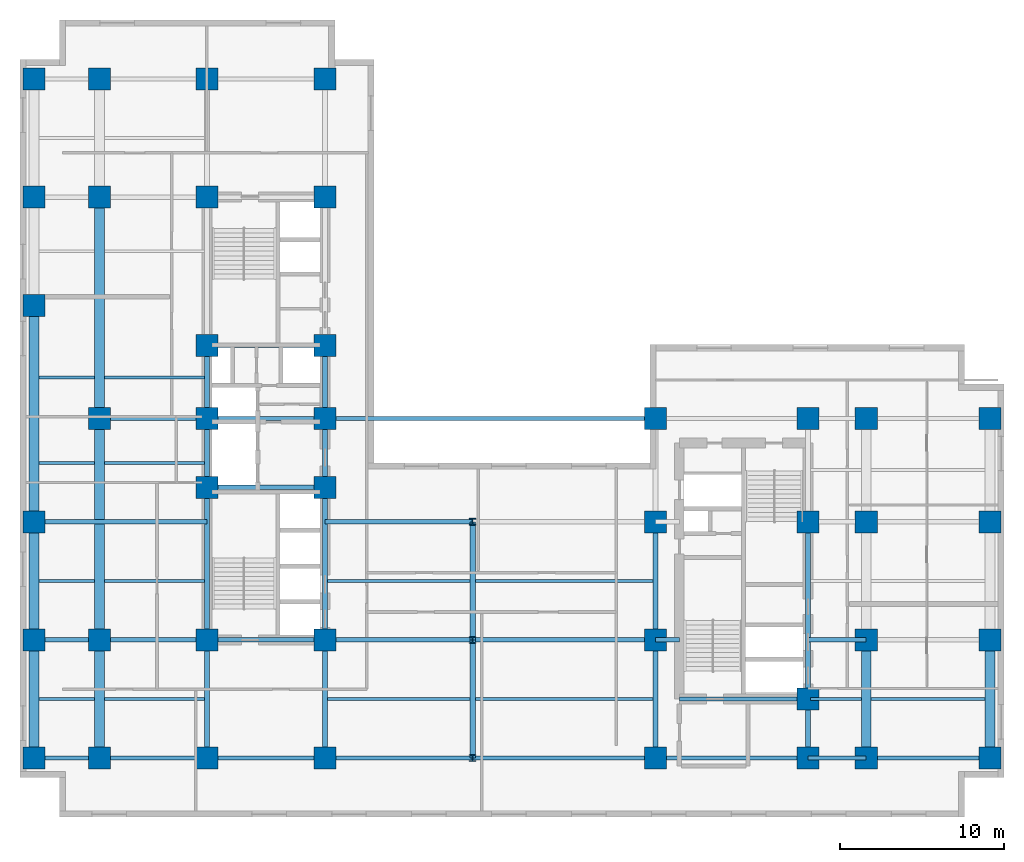
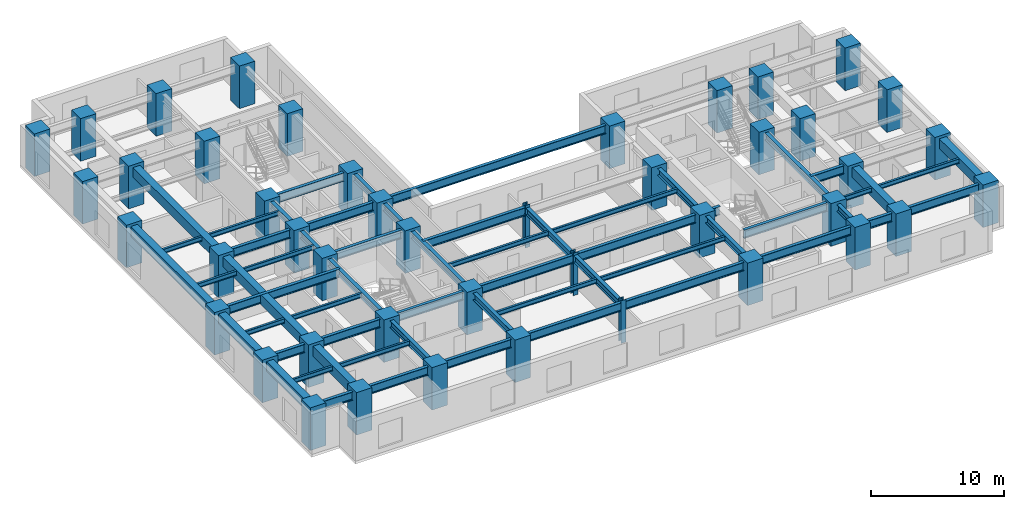
# One storey, part 1 of 9: 59 beams, 44 columns.
"""IFC4 building model written with IfcOpenShell, lengths in metres."""

from ifc_helpers import new_model, entity, si_unit, converted_unit, direction, frame, origin_with_axes, origin_2d_with_axis, place, context, subcontext, project, spatial, rectangle, i_section, extrude, material, material_profile, profile_set, type_object, element, save


model = new_model("IFC4")

# Units and contexts
model_context = context("Model", 3, precision=1e-05, world=origin_with_axes(), true_north=direction((0.0, 1.0)))
body_context = subcontext(model_context, "Body", "Model", "MODEL_VIEW")
ifc_project = project(units=[si_unit("LENGTHUNIT", "METRE"), si_unit("AREAUNIT", "SQUARE_METRE"), si_unit("VOLUMEUNIT", "CUBIC_METRE"), converted_unit("PLANEANGLEUNIT", "DEGREE", entity("IfcPlaneAngleMeasure", 0.017453292519943295), si_unit("PLANEANGLEUNIT", "RADIAN"), dimensions=[0, 0, 0, 0, 0, 0, 0]), si_unit("MASSUNIT", "GRAM", prefix="KILO"), si_unit("THERMODYNAMICTEMPERATUREUNIT", "KELVIN")], contexts=[model_context])

# Site, building, storey
site_placement = place(None, origin_with_axes())
site = spatial("IfcSite", under=ifc_project, at=site_placement, CompositionType="ELEMENT")
building_placement = place(site_placement, origin_with_axes())
building = spatial("IfcBuilding", under=site, at=building_placement, Name="Varnlund Millrace Tower", CompositionType="ELEMENT")
storey_placement = place(building_placement, frame((0.0, 0.0, 32.7), z_axis=(0.0, 0.0, 1.0), x_axis=(1.0, 0.0, 0.0)))
storey = spatial("IfcBuildingStorey", under=building, at=storey_placement, Name="L07", CompositionType="ELEMENT", Elevation=32.7)

# Columns
ifc_material_1 = material(Name="Steel ASTM A913 Grade 65", Category="steel")
ifc_material_profile_1 = material_profile(ifc_material_1, i_section(OverallWidth=0.406, OverallDepth=0.416, WebThickness=0.0298, FlangeThickness=0.048, FilletRadius=0.022, at=origin_2d_with_axis()), Name="Steel ASTM A913 Grade 65")
ifc_profile_set_1 = profile_set([ifc_material_profile_1], Name="Steel ASTM A913 Grade 65")
column_type_1 = type_object("IfcColumnType", Name="Type-Col-Int-W14X257", PredefinedType="COLUMN", material=ifc_profile_set_1)
for number, where, z_axis, x_axis, name in (
    (1, (27.6, 3.6, 0.0), (0.0, 0.0, 1.0), (1.0, 0.0, 0.0), "Type-Col-Int-W14X257"),
    (2, (27.6, 10.8, 0.0), (0.0, 0.0, 1.0), (1.0, 0.0, 0.0), "Type-Col-Int-W14X257"),
    (3, (27.6, 18.0, 0.0), (0.0, 0.0, 1.0), (1.0, 0.0, 0.0), "Type-Col-Int-W14X257"),
):
    element("IfcColumn", number, at=place(storey_placement, frame(where, z_axis=z_axis, x_axis=x_axis)), inside=storey, type_object=column_type_1, Name=name, PredefinedType="COLUMN", context=body_context, shape_type="SweptSolid", body=[
        extrude(i_section(OverallWidth=0.406, OverallDepth=0.416, WebThickness=0.0298, FlangeThickness=0.048, FilletRadius=0.022, at=origin_2d_with_axis()), origin_with_axes(), (0.0, 0.0, 1.0), 3.9),
    ])
ifc_material_2 = material(Name="Concrete C80/95", Category="concrete")
ifc_material_profile_2 = material_profile(ifc_material_2, rectangle(XDim=1.35, YDim=1.35, at=origin_2d_with_axis()), Name="Concrete C80/95")
ifc_profile_set_2 = profile_set([ifc_material_profile_2], Name="Concrete C80/95")
column_type_2 = type_object("IfcColumnType", Name="Type-Col-RC1350-C80", PredefinedType="COLUMN", material=ifc_profile_set_2)
for number, where, z_axis, x_axis, name in (
    (4, (11.4, 3.6, 0.0), (0.0, 0.0, 1.0), (1.0, 0.0, 0.0), "Type-Col-RC1350-C80"),
    (5, (11.4, 10.8, 0.0), (0.0, 0.0, 1.0), (1.0, 0.0, 0.0), "Type-Col-RC1350-C80"),
    (6, (11.4, 20.1, 0.0), (0.0, 0.0, 1.0), (1.0, 0.0, 0.0), "Type-Col-RC1350-C80"),
    (7, (11.4, 24.3, 0.0), (0.0, 0.0, 1.0), (1.0, 0.0, 0.0), "Type-Col-RC1350-C80"),
    (8, (11.4, 28.75, 0.0), (0.0, 0.0, 1.0), (1.0, 0.0, 0.0), "Type-Col-RC1350-C80"),
    (9, (11.4, 37.8, 0.0), (0.0, 0.0, 1.0), (1.0, 0.0, 0.0), "Type-Col-RC1350-C80"),
    (10, (11.4, 45.0, 0.0), (0.0, 0.0, 1.0), (1.0, 0.0, 0.0), "Type-Col-RC1350-C80"),
    (11, (18.6, 3.6, 0.0), (0.0, 0.0, 1.0), (1.0, 0.0, 0.0), "Type-Col-RC1350-C80"),
    (12, (18.6, 10.8, 0.0), (0.0, 0.0, 1.0), (1.0, 0.0, 0.0), "Type-Col-RC1350-C80"),
    (13, (18.6, 20.1, 0.0), (0.0, 0.0, 1.0), (1.0, 0.0, 0.0), "Type-Col-RC1350-C80"),
    (14, (18.6, 24.3, 0.0), (0.0, 0.0, 1.0), (1.0, 0.0, 0.0), "Type-Col-RC1350-C80"),
    (15, (18.6, 28.75, 0.0), (0.0, 0.0, 1.0), (1.0, 0.0, 0.0), "Type-Col-RC1350-C80"),
    (16, (18.6, 37.8, 0.0), (0.0, 0.0, 1.0), (1.0, 0.0, 0.0), "Type-Col-RC1350-C80"),
    (17, (18.6, 45.0, 0.0), (0.0, 0.0, 1.0), (1.0, 0.0, 0.0), "Type-Col-RC1350-C80"),
    (18, (4.85, 3.6, 0.0), (0.0, 0.0, 1.0), (1.0, 0.0, 0.0), "Type-Col-RC1350-C80"),
    (19, (4.85, 10.8, 0.0), (0.0, 0.0, 1.0), (1.0, 0.0, 0.0), "Type-Col-RC1350-C80"),
    (20, (4.85, 24.3, 0.0), (0.0, 0.0, 1.0), (1.0, 0.0, 0.0), "Type-Col-RC1350-C80"),
    (21, (4.85, 37.8, 0.0), (0.0, 0.0, 1.0), (1.0, 0.0, 0.0), "Type-Col-RC1350-C80"),
    (22, (4.85, 45.0, 0.0), (0.0, 0.0, 1.0), (1.0, 0.0, 0.0), "Type-Col-RC1350-C80"),
    (23, (0.85, 3.6, 0.0), (0.0, 0.0, 1.0), (1.0, 0.0, 0.0), "Type-Col-RC1350-C80"),
    (24, (0.85, 10.8, 0.0), (0.0, 0.0, 1.0), (1.0, 0.0, 0.0), "Type-Col-RC1350-C80"),
    (25, (0.85, 18.0, 0.0), (0.0, 0.0, 1.0), (1.0, 0.0, 0.0), "Type-Col-RC1350-C80"),
    (26, (0.85, 31.2, 0.0), (0.0, 0.0, 1.0), (1.0, 0.0, 0.0), "Type-Col-RC1350-C80"),
    (27, (0.85, 37.8, 0.0), (0.0, 0.0, 1.0), (1.0, 0.0, 0.0), "Type-Col-RC1350-C80"),
    (28, (0.85, 45.0, 0.0), (0.0, 0.0, 1.0), (1.0, 0.0, 0.0), "Type-Col-RC1350-C80"),
    (29, (38.75, 3.6, 0.0), (0.0, 0.0, 1.0), (1.0, 0.0, 0.0), "Type-Col-RC1350-C80"),
    (30, (38.75, 10.8, 0.0), (0.0, 0.0, 1.0), (1.0, 0.0, 0.0), "Type-Col-RC1350-C80"),
    (31, (38.75, 18.0, 0.0), (0.0, 0.0, 1.0), (1.0, 0.0, 0.0), "Type-Col-RC1350-C80"),
    (32, (38.75, 24.3, 0.0), (0.0, 0.0, 1.0), (1.0, 0.0, 0.0), "Type-Col-RC1350-C80"),
    (33, (48.05, 3.6, 0.0), (0.0, 0.0, 1.0), (1.0, 0.0, 0.0), "Type-Col-RC1350-C80"),
    (34, (48.05, 7.2, 0.0), (0.0, 0.0, 1.0), (1.0, 0.0, 0.0), "Type-Col-RC1350-C80"),
    (35, (48.05, 18.0, 0.0), (0.0, 0.0, 1.0), (1.0, 0.0, 0.0), "Type-Col-RC1350-C80"),
    (36, (48.05, 24.3, 0.0), (0.0, 0.0, 1.0), (1.0, 0.0, 0.0), "Type-Col-RC1350-C80"),
    (37, (51.6, 3.6, 0.0), (0.0, 0.0, 1.0), (1.0, 0.0, 0.0), "Type-Col-RC1350-C80"),
    (38, (51.6, 10.8, 0.0), (0.0, 0.0, 1.0), (1.0, 0.0, 0.0), "Type-Col-RC1350-C80"),
    (39, (51.6, 18.0, 0.0), (0.0, 0.0, 1.0), (1.0, 0.0, 0.0), "Type-Col-RC1350-C80"),
    (40, (51.6, 24.3, 0.0), (0.0, 0.0, 1.0), (1.0, 0.0, 0.0), "Type-Col-RC1350-C80"),
    (41, (59.15, 3.6, 0.0), (0.0, 0.0, 1.0), (1.0, 0.0, 0.0), "Type-Col-RC1350-C80"),
    (42, (59.15, 10.8, 0.0), (0.0, 0.0, 1.0), (1.0, 0.0, 0.0), "Type-Col-RC1350-C80"),
    (43, (59.15, 18.0, 0.0), (0.0, 0.0, 1.0), (1.0, 0.0, 0.0), "Type-Col-RC1350-C80"),
    (44, (59.15, 24.3, 0.0), (0.0, 0.0, 1.0), (1.0, 0.0, 0.0), "Type-Col-RC1350-C80"),
):
    element("IfcColumn", number, at=place(storey_placement, frame(where, z_axis=z_axis, x_axis=x_axis)), inside=storey, type_object=column_type_2, Name=name, PredefinedType="COLUMN", context=body_context, shape_type="SweptSolid", body=[
        extrude(rectangle(XDim=1.35, YDim=1.35, at=origin_2d_with_axis()), origin_with_axes(), (0.0, 0.0, 1.0), 3.9),
    ])

# Beams
ifc_material_3 = material(Name="Steel ASTM A992 Grade 50", Category="steel")
ifc_material_profile_3 = material_profile(ifc_material_3, i_section(OverallWidth=0.328, OverallDepth=0.628, WebThickness=0.0165, FlangeThickness=0.0277, FilletRadius=0.018, at=origin_2d_with_axis()), Name="Steel ASTM A992 Grade 50")
ifc_profile_set_3 = profile_set([ifc_material_profile_3], Name="Steel ASTM A992 Grade 50")
beam_type_1 = type_object("IfcBeamType", Name="Type-Girder-W24X146", PredefinedType="USERDEFINED", material=ifc_profile_set_3)
beam_1_placement = place(storey_placement, frame((11.4, 3.6, 3.346), z_axis=(0.0, 1.0, 0.0), x_axis=(-1.0, 0.0, 0.0)))
element("IfcBeam", 45, at=beam_1_placement, inside=storey, type_object=beam_type_1, Name="Type-Girder-W24X146", ObjectType="GIRDER", PredefinedType="USERDEFINED", context=body_context, shape_type="SweptSolid", body=[
    extrude(i_section(OverallWidth=0.328, OverallDepth=0.628, WebThickness=0.0165, FlangeThickness=0.0277, FilletRadius=0.018, at=origin_2d_with_axis()), origin_with_axes(), (0.0, 0.0, 1.0), 7.2),
])
beam_2_placement = place(storey_placement, frame((11.4, 10.8, 3.346), z_axis=(0.0, 1.0, 0.0), x_axis=(-1.0, 0.0, 0.0)))
element("IfcBeam", 46, at=beam_2_placement, inside=storey, type_object=beam_type_1, Name="Type-Girder-W24X146", ObjectType="GIRDER", PredefinedType="USERDEFINED", context=body_context, shape_type="SweptSolid", body=[
    extrude(i_section(OverallWidth=0.328, OverallDepth=0.628, WebThickness=0.0165, FlangeThickness=0.0277, FilletRadius=0.018, at=origin_2d_with_axis()), origin_with_axes(), (0.0, 0.0, 1.0), 9.3),
])
beam_3_placement = place(storey_placement, frame((11.4, 20.1, 3.346), z_axis=(0.0, 1.0, 0.0), x_axis=(-1.0, 0.0, 0.0)))
element("IfcBeam", 47, at=beam_3_placement, inside=storey, type_object=beam_type_1, Name="Type-Girder-W24X146", ObjectType="GIRDER", PredefinedType="USERDEFINED", context=body_context, shape_type="SweptSolid", body=[
    extrude(i_section(OverallWidth=0.328, OverallDepth=0.628, WebThickness=0.0165, FlangeThickness=0.0277, FilletRadius=0.018, at=origin_2d_with_axis()), origin_with_axes(), (0.0, 0.0, 1.0), 4.2),
])
beam_4_placement = place(storey_placement, frame((11.4, 24.3, 3.346), z_axis=(0.0, 1.0, 0.0), x_axis=(-1.0, 0.0, 0.0)))
element("IfcBeam", 48, at=beam_4_placement, inside=storey, type_object=beam_type_1, Name="Type-Girder-W24X146", ObjectType="GIRDER", PredefinedType="USERDEFINED", context=body_context, shape_type="SweptSolid", body=[
    extrude(i_section(OverallWidth=0.328, OverallDepth=0.628, WebThickness=0.0165, FlangeThickness=0.0277, FilletRadius=0.018, at=origin_2d_with_axis()), origin_with_axes(), (0.0, 0.0, 1.0), 4.45),
])
beam_5_placement = place(storey_placement, frame((18.6, 3.6, 3.346), z_axis=(0.0, 1.0, 0.0), x_axis=(-1.0, 0.0, 0.0)))
element("IfcBeam", 49, at=beam_5_placement, inside=storey, type_object=beam_type_1, Name="Type-Girder-W24X146", ObjectType="GIRDER", PredefinedType="USERDEFINED", context=body_context, shape_type="SweptSolid", body=[
    extrude(i_section(OverallWidth=0.328, OverallDepth=0.628, WebThickness=0.0165, FlangeThickness=0.0277, FilletRadius=0.018, at=origin_2d_with_axis()), origin_with_axes(), (0.0, 0.0, 1.0), 7.2),
])
beam_6_placement = place(storey_placement, frame((18.6, 10.8, 3.346), z_axis=(0.0, 1.0, 0.0), x_axis=(-1.0, 0.0, 0.0)))
element("IfcBeam", 50, at=beam_6_placement, inside=storey, type_object=beam_type_1, Name="Type-Girder-W24X146", ObjectType="GIRDER", PredefinedType="USERDEFINED", context=body_context, shape_type="SweptSolid", body=[
    extrude(i_section(OverallWidth=0.328, OverallDepth=0.628, WebThickness=0.0165, FlangeThickness=0.0277, FilletRadius=0.018, at=origin_2d_with_axis()), origin_with_axes(), (0.0, 0.0, 1.0), 9.3),
])
beam_7_placement = place(storey_placement, frame((18.6, 20.1, 3.346), z_axis=(0.0, 1.0, 0.0), x_axis=(-1.0, 0.0, 0.0)))
element("IfcBeam", 51, at=beam_7_placement, inside=storey, type_object=beam_type_1, Name="Type-Girder-W24X146", ObjectType="GIRDER", PredefinedType="USERDEFINED", context=body_context, shape_type="SweptSolid", body=[
    extrude(i_section(OverallWidth=0.328, OverallDepth=0.628, WebThickness=0.0165, FlangeThickness=0.0277, FilletRadius=0.018, at=origin_2d_with_axis()), origin_with_axes(), (0.0, 0.0, 1.0), 4.2),
])
beam_8_placement = place(storey_placement, frame((18.6, 24.3, 3.346), z_axis=(0.0, 1.0, 0.0), x_axis=(-1.0, 0.0, 0.0)))
element("IfcBeam", 52, at=beam_8_placement, inside=storey, type_object=beam_type_1, Name="Type-Girder-W24X146", ObjectType="GIRDER", PredefinedType="USERDEFINED", context=body_context, shape_type="SweptSolid", body=[
    extrude(i_section(OverallWidth=0.328, OverallDepth=0.628, WebThickness=0.0165, FlangeThickness=0.0277, FilletRadius=0.018, at=origin_2d_with_axis()), origin_with_axes(), (0.0, 0.0, 1.0), 4.45),
])
for number, where, z_axis, x_axis, name in (
    (53, (27.6, 3.6, 3.346), (0.0, 1.0, 0.0), (-1.0, 0.0, 0.0), "Type-Girder-W24X146"),
    (54, (27.6, 10.8, 3.346), (0.0, 1.0, 0.0), (-1.0, 0.0, 0.0), "Type-Girder-W24X146"),
    (55, (38.75, 3.6, 3.346), (0.0, 1.0, 0.0), (-1.0, 0.0, 0.0), "Type-Girder-W24X146"),
    (56, (38.75, 10.8, 3.346), (0.0, 1.0, 0.0), (-1.0, 0.0, 0.0), "Type-Girder-W24X146"),
):
    element("IfcBeam", number, at=place(storey_placement, frame(where, z_axis=z_axis, x_axis=x_axis)), inside=storey, type_object=beam_type_1, Name=name, ObjectType="GIRDER", PredefinedType="USERDEFINED", context=body_context, shape_type="SweptSolid", body=[
        extrude(i_section(OverallWidth=0.328, OverallDepth=0.628, WebThickness=0.0165, FlangeThickness=0.0277, FilletRadius=0.018, at=origin_2d_with_axis()), origin_with_axes(), (0.0, 0.0, 1.0), 7.2),
    ])
beam_9_placement = place(storey_placement, frame((48.05, 3.6, 3.346), z_axis=(0.0, 1.0, 0.0), x_axis=(-1.0, 0.0, 0.0)))
element("IfcBeam", 57, at=beam_9_placement, inside=storey, type_object=beam_type_1, Name="Type-Girder-W24X146", ObjectType="GIRDER", PredefinedType="USERDEFINED", context=body_context, shape_type="SweptSolid", body=[
    extrude(i_section(OverallWidth=0.328, OverallDepth=0.628, WebThickness=0.0165, FlangeThickness=0.0277, FilletRadius=0.018, at=origin_2d_with_axis()), origin_with_axes(), (0.0, 0.0, 1.0), 3.6),
])
beam_10_placement = place(storey_placement, frame((48.05, 7.2, 3.346), z_axis=(0.0, 1.0, 0.0), x_axis=(-1.0, 0.0, 0.0)))
element("IfcBeam", 58, at=beam_10_placement, inside=storey, type_object=beam_type_1, Name="Type-Girder-W24X146", ObjectType="GIRDER", PredefinedType="USERDEFINED", context=body_context, shape_type="SweptSolid", body=[
    extrude(i_section(OverallWidth=0.328, OverallDepth=0.628, WebThickness=0.0165, FlangeThickness=0.0277, FilletRadius=0.018, at=origin_2d_with_axis()), origin_with_axes(), (0.0, 0.0, 1.0), 10.8),
])
ifc_material_profile_4 = material_profile(ifc_material_3, i_section(OverallWidth=0.266, OverallDepth=0.779, WebThickness=0.0165, FlangeThickness=0.03, FilletRadius=0.02, at=origin_2d_with_axis()), Name="Steel ASTM A992 Grade 50")
ifc_profile_set_4 = profile_set([ifc_material_profile_4], Name="Steel ASTM A992 Grade 50")
beam_type_2 = type_object("IfcBeamType", Name="Type-Girder-W30X148", PredefinedType="USERDEFINED", material=ifc_profile_set_4)
beam_11_placement = place(storey_placement, frame((0.85, 3.6, 3.2705), z_axis=(1.0, 0.0, 0.0), x_axis=(0.0, 1.0, 0.0)))
element("IfcBeam", 59, at=beam_11_placement, inside=storey, type_object=beam_type_2, Name="Type-Girder-W30X148", ObjectType="GIRDER", PredefinedType="USERDEFINED", context=body_context, shape_type="SweptSolid", body=[
    extrude(i_section(OverallWidth=0.266, OverallDepth=0.779, WebThickness=0.0165, FlangeThickness=0.03, FilletRadius=0.02, at=origin_2d_with_axis()), origin_with_axes(), (0.0, 0.0, 1.0), 4.0),
])
beam_12_placement = place(storey_placement, frame((4.85, 3.6, 3.2705), z_axis=(1.0, 0.0, 0.0), x_axis=(0.0, 1.0, 0.0)))
element("IfcBeam", 60, at=beam_12_placement, inside=storey, type_object=beam_type_2, Name="Type-Girder-W30X148", ObjectType="GIRDER", PredefinedType="USERDEFINED", context=body_context, shape_type="SweptSolid", body=[
    extrude(i_section(OverallWidth=0.266, OverallDepth=0.779, WebThickness=0.0165, FlangeThickness=0.03, FilletRadius=0.02, at=origin_2d_with_axis()), origin_with_axes(), (0.0, 0.0, 1.0), 6.55),
])
beam_13_placement = place(storey_placement, frame((11.4, 3.6, 3.2705), z_axis=(1.0, 0.0, 0.0), x_axis=(0.0, 1.0, 0.0)))
element("IfcBeam", 61, at=beam_13_placement, inside=storey, type_object=beam_type_2, Name="Type-Girder-W30X148", ObjectType="GIRDER", PredefinedType="USERDEFINED", context=body_context, shape_type="SweptSolid", body=[
    extrude(i_section(OverallWidth=0.266, OverallDepth=0.779, WebThickness=0.0165, FlangeThickness=0.03, FilletRadius=0.02, at=origin_2d_with_axis()), origin_with_axes(), (0.0, 0.0, 1.0), 7.2),
])
beam_14_placement = place(storey_placement, frame((18.6, 3.6, 3.2705), z_axis=(1.0, 0.0, 0.0), x_axis=(0.0, 1.0, 0.0)))
element("IfcBeam", 62, at=beam_14_placement, inside=storey, type_object=beam_type_2, Name="Type-Girder-W30X148", ObjectType="GIRDER", PredefinedType="USERDEFINED", context=body_context, shape_type="SweptSolid", body=[
    extrude(i_section(OverallWidth=0.266, OverallDepth=0.779, WebThickness=0.0165, FlangeThickness=0.03, FilletRadius=0.02, at=origin_2d_with_axis()), origin_with_axes(), (0.0, 0.0, 1.0), 9.0),
])
beam_15_placement = place(storey_placement, frame((27.6, 3.6, 3.2705), z_axis=(1.0, 0.0, 0.0), x_axis=(0.0, 1.0, 0.0)))
element("IfcBeam", 63, at=beam_15_placement, inside=storey, type_object=beam_type_2, Name="Type-Girder-W30X148", ObjectType="GIRDER", PredefinedType="USERDEFINED", context=body_context, shape_type="SweptSolid", body=[
    extrude(i_section(OverallWidth=0.266, OverallDepth=0.779, WebThickness=0.0165, FlangeThickness=0.03, FilletRadius=0.02, at=origin_2d_with_axis()), origin_with_axes(), (0.0, 0.0, 1.0), 11.15),
])
beam_16_placement = place(storey_placement, frame((38.75, 3.6, 3.2705), z_axis=(1.0, 0.0, 0.0), x_axis=(0.0, 1.0, 0.0)))
element("IfcBeam", 64, at=beam_16_placement, inside=storey, type_object=beam_type_2, Name="Type-Girder-W30X148", ObjectType="GIRDER", PredefinedType="USERDEFINED", context=body_context, shape_type="SweptSolid", body=[
    extrude(i_section(OverallWidth=0.266, OverallDepth=0.779, WebThickness=0.0165, FlangeThickness=0.03, FilletRadius=0.02, at=origin_2d_with_axis()), origin_with_axes(), (0.0, 0.0, 1.0), 9.3),
])
beam_17_placement = place(storey_placement, frame((48.05, 3.6, 3.2705), z_axis=(1.0, 0.0, 0.0), x_axis=(0.0, 1.0, 0.0)))
element("IfcBeam", 65, at=beam_17_placement, inside=storey, type_object=beam_type_2, Name="Type-Girder-W30X148", ObjectType="GIRDER", PredefinedType="USERDEFINED", context=body_context, shape_type="SweptSolid", body=[
    extrude(i_section(OverallWidth=0.266, OverallDepth=0.779, WebThickness=0.0165, FlangeThickness=0.03, FilletRadius=0.02, at=origin_2d_with_axis()), origin_with_axes(), (0.0, 0.0, 1.0), 3.55),
])
beam_18_placement = place(storey_placement, frame((51.6, 3.6, 3.2705), z_axis=(1.0, 0.0, 0.0), x_axis=(0.0, 1.0, 0.0)))
element("IfcBeam", 66, at=beam_18_placement, inside=storey, type_object=beam_type_2, Name="Type-Girder-W30X148", ObjectType="GIRDER", PredefinedType="USERDEFINED", context=body_context, shape_type="SweptSolid", body=[
    extrude(i_section(OverallWidth=0.266, OverallDepth=0.779, WebThickness=0.0165, FlangeThickness=0.03, FilletRadius=0.02, at=origin_2d_with_axis()), origin_with_axes(), (0.0, 0.0, 1.0), 7.55),
])
beam_19_placement = place(storey_placement, frame((40.2, 7.2, 3.2705), z_axis=(1.0, 0.0, 0.0), x_axis=(0.0, 1.0, 0.0)))
element("IfcBeam", 67, at=beam_19_placement, inside=storey, type_object=beam_type_2, Name="Type-Girder-W30X148", ObjectType="GIRDER", PredefinedType="USERDEFINED", context=body_context, shape_type="SweptSolid", body=[
    extrude(i_section(OverallWidth=0.266, OverallDepth=0.779, WebThickness=0.0165, FlangeThickness=0.03, FilletRadius=0.02, at=origin_2d_with_axis()), origin_with_axes(), (0.0, 0.0, 1.0), 7.85),
])
beam_20_placement = place(storey_placement, frame((0.85, 10.8, 3.2705), z_axis=(1.0, 0.0, 0.0), x_axis=(0.0, 1.0, 0.0)))
element("IfcBeam", 68, at=beam_20_placement, inside=storey, type_object=beam_type_2, Name="Type-Girder-W30X148", ObjectType="GIRDER", PredefinedType="USERDEFINED", context=body_context, shape_type="SweptSolid", body=[
    extrude(i_section(OverallWidth=0.266, OverallDepth=0.779, WebThickness=0.0165, FlangeThickness=0.03, FilletRadius=0.02, at=origin_2d_with_axis()), origin_with_axes(), (0.0, 0.0, 1.0), 4.0),
])
beam_21_placement = place(storey_placement, frame((4.85, 10.8, 3.2705), z_axis=(1.0, 0.0, 0.0), x_axis=(0.0, 1.0, 0.0)))
element("IfcBeam", 69, at=beam_21_placement, inside=storey, type_object=beam_type_2, Name="Type-Girder-W30X148", ObjectType="GIRDER", PredefinedType="USERDEFINED", context=body_context, shape_type="SweptSolid", body=[
    extrude(i_section(OverallWidth=0.266, OverallDepth=0.779, WebThickness=0.0165, FlangeThickness=0.03, FilletRadius=0.02, at=origin_2d_with_axis()), origin_with_axes(), (0.0, 0.0, 1.0), 6.55),
])
beam_22_placement = place(storey_placement, frame((11.4, 10.8, 3.2705), z_axis=(1.0, 0.0, 0.0), x_axis=(0.0, 1.0, 0.0)))
element("IfcBeam", 70, at=beam_22_placement, inside=storey, type_object=beam_type_2, Name="Type-Girder-W30X148", ObjectType="GIRDER", PredefinedType="USERDEFINED", context=body_context, shape_type="SweptSolid", body=[
    extrude(i_section(OverallWidth=0.266, OverallDepth=0.779, WebThickness=0.0165, FlangeThickness=0.03, FilletRadius=0.02, at=origin_2d_with_axis()), origin_with_axes(), (0.0, 0.0, 1.0), 7.2),
])
beam_23_placement = place(storey_placement, frame((18.6, 10.8, 3.2705), z_axis=(1.0, 0.0, 0.0), x_axis=(0.0, 1.0, 0.0)))
element("IfcBeam", 71, at=beam_23_placement, inside=storey, type_object=beam_type_2, Name="Type-Girder-W30X148", ObjectType="GIRDER", PredefinedType="USERDEFINED", context=body_context, shape_type="SweptSolid", body=[
    extrude(i_section(OverallWidth=0.266, OverallDepth=0.779, WebThickness=0.0165, FlangeThickness=0.03, FilletRadius=0.02, at=origin_2d_with_axis()), origin_with_axes(), (0.0, 0.0, 1.0), 9.0),
])
beam_24_placement = place(storey_placement, frame((27.6, 10.8, 3.2705), z_axis=(1.0, 0.0, 0.0), x_axis=(0.0, 1.0, 0.0)))
element("IfcBeam", 72, at=beam_24_placement, inside=storey, type_object=beam_type_2, Name="Type-Girder-W30X148", ObjectType="GIRDER", PredefinedType="USERDEFINED", context=body_context, shape_type="SweptSolid", body=[
    extrude(i_section(OverallWidth=0.266, OverallDepth=0.779, WebThickness=0.0165, FlangeThickness=0.03, FilletRadius=0.02, at=origin_2d_with_axis()), origin_with_axes(), (0.0, 0.0, 1.0), 11.15),
])
beam_25_placement = place(storey_placement, frame((38.75, 10.8, 3.2705), z_axis=(1.0, 0.0, 0.0), x_axis=(0.0, 1.0, 0.0)))
element("IfcBeam", 73, at=beam_25_placement, inside=storey, type_object=beam_type_2, Name="Type-Girder-W30X148", ObjectType="GIRDER", PredefinedType="USERDEFINED", context=body_context, shape_type="SweptSolid", body=[
    extrude(i_section(OverallWidth=0.266, OverallDepth=0.779, WebThickness=0.0165, FlangeThickness=0.03, FilletRadius=0.02, at=origin_2d_with_axis()), origin_with_axes(), (0.0, 0.0, 1.0), 1.45),
])
beam_26_placement = place(storey_placement, frame((48.05, 10.8, 3.2705), z_axis=(1.0, 0.0, 0.0), x_axis=(0.0, 1.0, 0.0)))
element("IfcBeam", 74, at=beam_26_placement, inside=storey, type_object=beam_type_2, Name="Type-Girder-W30X148", ObjectType="GIRDER", PredefinedType="USERDEFINED", context=body_context, shape_type="SweptSolid", body=[
    extrude(i_section(OverallWidth=0.266, OverallDepth=0.779, WebThickness=0.0165, FlangeThickness=0.03, FilletRadius=0.02, at=origin_2d_with_axis()), origin_with_axes(), (0.0, 0.0, 1.0), 3.55),
])
beam_27_placement = place(storey_placement, frame((0.85, 18.0, 3.2705), z_axis=(1.0, 0.0, 0.0), x_axis=(0.0, 1.0, 0.0)))
element("IfcBeam", 75, at=beam_27_placement, inside=storey, type_object=beam_type_2, Name="Type-Girder-W30X148", ObjectType="GIRDER", PredefinedType="USERDEFINED", context=body_context, shape_type="SweptSolid", body=[
    extrude(i_section(OverallWidth=0.266, OverallDepth=0.779, WebThickness=0.0165, FlangeThickness=0.03, FilletRadius=0.02, at=origin_2d_with_axis()), origin_with_axes(), (0.0, 0.0, 1.0), 10.55),
])
beam_28_placement = place(storey_placement, frame((18.6, 18.0, 3.2705), z_axis=(1.0, 0.0, 0.0), x_axis=(0.0, 1.0, 0.0)))
element("IfcBeam", 76, at=beam_28_placement, inside=storey, type_object=beam_type_2, Name="Type-Girder-W30X148", ObjectType="GIRDER", PredefinedType="USERDEFINED", context=body_context, shape_type="SweptSolid", body=[
    extrude(i_section(OverallWidth=0.266, OverallDepth=0.779, WebThickness=0.0165, FlangeThickness=0.03, FilletRadius=0.02, at=origin_2d_with_axis()), origin_with_axes(), (0.0, 0.0, 1.0), 9.0),
])
beam_29_placement = place(storey_placement, frame((11.4, 20.1, 3.2705), z_axis=(1.0, 0.0, 0.0), x_axis=(0.0, 1.0, 0.0)))
element("IfcBeam", 77, at=beam_29_placement, inside=storey, type_object=beam_type_2, Name="Type-Girder-W30X148", ObjectType="GIRDER", PredefinedType="USERDEFINED", context=body_context, shape_type="SweptSolid", body=[
    extrude(i_section(OverallWidth=0.266, OverallDepth=0.779, WebThickness=0.0165, FlangeThickness=0.03, FilletRadius=0.02, at=origin_2d_with_axis()), origin_with_axes(), (0.0, 0.0, 1.0), 7.2),
])
beam_30_placement = place(storey_placement, frame((4.85, 24.3, 3.2705), z_axis=(1.0, 0.0, 0.0), x_axis=(0.0, 1.0, 0.0)))
element("IfcBeam", 78, at=beam_30_placement, inside=storey, type_object=beam_type_2, Name="Type-Girder-W30X148", ObjectType="GIRDER", PredefinedType="USERDEFINED", context=body_context, shape_type="SweptSolid", body=[
    extrude(i_section(OverallWidth=0.266, OverallDepth=0.779, WebThickness=0.0165, FlangeThickness=0.03, FilletRadius=0.02, at=origin_2d_with_axis()), origin_with_axes(), (0.0, 0.0, 1.0), 6.55),
])
beam_31_placement = place(storey_placement, frame((11.4, 24.3, 3.2705), z_axis=(1.0, 0.0, 0.0), x_axis=(0.0, 1.0, 0.0)))
element("IfcBeam", 79, at=beam_31_placement, inside=storey, type_object=beam_type_2, Name="Type-Girder-W30X148", ObjectType="GIRDER", PredefinedType="USERDEFINED", context=body_context, shape_type="SweptSolid", body=[
    extrude(i_section(OverallWidth=0.266, OverallDepth=0.779, WebThickness=0.0165, FlangeThickness=0.03, FilletRadius=0.02, at=origin_2d_with_axis()), origin_with_axes(), (0.0, 0.0, 1.0), 7.2),
])
beam_32_placement = place(storey_placement, frame((18.6, 24.3, 3.2705), z_axis=(1.0, 0.0, 0.0), x_axis=(0.0, 1.0, 0.0)))
element("IfcBeam", 80, at=beam_32_placement, inside=storey, type_object=beam_type_2, Name="Type-Girder-W30X148", ObjectType="GIRDER", PredefinedType="USERDEFINED", context=body_context, shape_type="SweptSolid", body=[
    extrude(i_section(OverallWidth=0.266, OverallDepth=0.779, WebThickness=0.0165, FlangeThickness=0.03, FilletRadius=0.02, at=origin_2d_with_axis()), origin_with_axes(), (0.0, 0.0, 1.0), 20.15),
])
beam_33_placement = place(storey_placement, frame((11.4, 28.75, 3.2705), z_axis=(1.0, 0.0, 0.0), x_axis=(0.0, 1.0, 0.0)))
element("IfcBeam", 81, at=beam_33_placement, inside=storey, type_object=beam_type_2, Name="Type-Girder-W30X148", ObjectType="GIRDER", PredefinedType="USERDEFINED", context=body_context, shape_type="SweptSolid", body=[
    extrude(i_section(OverallWidth=0.266, OverallDepth=0.779, WebThickness=0.0165, FlangeThickness=0.03, FilletRadius=0.02, at=origin_2d_with_axis()), origin_with_axes(), (0.0, 0.0, 1.0), 7.2),
])
ifc_material_profile_5 = material_profile(ifc_material_3, i_section(OverallWidth=0.181, OverallDepth=0.417, WebThickness=0.0109, FlangeThickness=0.0182, FilletRadius=0.013, at=origin_2d_with_axis()), Name="Steel ASTM A992 Grade 50")
ifc_profile_set_5 = profile_set([ifc_material_profile_5], Name="Steel ASTM A992 Grade 50")
beam_type_3 = type_object("IfcBeamType", Name="Type-Joist-W16X57", PredefinedType="JOIST", material=ifc_profile_set_5)
for number, where, z_axis, x_axis, name in (
    (82, (1.15, 7.2, 3.4515), (1.0, 0.0, 0.0), (0.0, 1.0, 0.0), "Type-Joist-W16X57"),
    (83, (1.15, 14.4, 3.4515), (1.0, 0.0, 0.0), (0.0, 1.0, 0.0), "Type-Joist-W16X57"),
    (84, (1.15, 21.6, 3.4515), (1.0, 0.0, 0.0), (0.0, 1.0, 0.0), "Type-Joist-W16X57"),
    (85, (1.15, 26.8, 3.4515), (1.0, 0.0, 0.0), (0.0, 1.0, 0.0), "Type-Joist-W16X57"),
):
    element("IfcBeam", number, at=place(storey_placement, frame(where, z_axis=z_axis, x_axis=x_axis)), inside=storey, type_object=beam_type_3, Name=name, PredefinedType="JOIST", context=body_context, shape_type="SweptSolid", body=[
        extrude(i_section(OverallWidth=0.181, OverallDepth=0.417, WebThickness=0.0109, FlangeThickness=0.0182, FilletRadius=0.013, at=origin_2d_with_axis()), origin_with_axes(), (0.0, 0.0, 1.0), 3.4),
    ])
for number, where, z_axis, x_axis, name in (
    (86, (5.15, 7.2, 3.4515), (1.0, 0.0, 0.0), (0.0, 1.0, 0.0), "Type-Joist-W16X57"),
    (87, (5.15, 14.4, 3.4515), (1.0, 0.0, 0.0), (0.0, 1.0, 0.0), "Type-Joist-W16X57"),
    (88, (5.15, 21.6, 3.4515), (1.0, 0.0, 0.0), (0.0, 1.0, 0.0), "Type-Joist-W16X57"),
    (89, (5.15, 26.8, 3.4515), (1.0, 0.0, 0.0), (0.0, 1.0, 0.0), "Type-Joist-W16X57"),
):
    element("IfcBeam", number, at=place(storey_placement, frame(where, z_axis=z_axis, x_axis=x_axis)), inside=storey, type_object=beam_type_3, Name=name, PredefinedType="JOIST", context=body_context, shape_type="SweptSolid", body=[
        extrude(i_section(OverallWidth=0.181, OverallDepth=0.417, WebThickness=0.0109, FlangeThickness=0.0182, FilletRadius=0.013, at=origin_2d_with_axis()), origin_with_axes(), (0.0, 0.0, 1.0), 6.086),
    ])
beam_34_placement = place(storey_placement, frame((48.214, 7.2, 3.4515), z_axis=(1.0, 0.0, 0.0), x_axis=(0.0, 1.0, 0.0)))
element("IfcBeam", 90, at=beam_34_placement, inside=storey, type_object=beam_type_3, Name="Type-Joist-W16X57", PredefinedType="JOIST", context=body_context, shape_type="SweptSolid", body=[
    extrude(i_section(OverallWidth=0.181, OverallDepth=0.417, WebThickness=0.0109, FlangeThickness=0.0182, FilletRadius=0.013, at=origin_2d_with_axis()), origin_with_axes(), (0.0, 0.0, 1.0), 3.086),
])
beam_35_placement = place(storey_placement, frame((51.9, 7.2, 3.4515), z_axis=(1.0, 0.0, 0.0), x_axis=(0.0, 1.0, 0.0)))
element("IfcBeam", 91, at=beam_35_placement, inside=storey, type_object=beam_type_3, Name="Type-Joist-W16X57", PredefinedType="JOIST", context=body_context, shape_type="SweptSolid", body=[
    extrude(i_section(OverallWidth=0.181, OverallDepth=0.417, WebThickness=0.0109, FlangeThickness=0.0182, FilletRadius=0.013, at=origin_2d_with_axis()), origin_with_axes(), (0.0, 0.0, 1.0), 6.95),
])
for number, where, z_axis, x_axis, name in (
    (92, (18.764, 7.2, 3.4515), (1.0, 0.0, 0.0), (0.0, 1.0, 0.0), "Type-Joist-W16X57"),
    (93, (18.764, 14.4, 3.4515), (1.0, 0.0, 0.0), (0.0, 1.0, 0.0), "Type-Joist-W16X57"),
):
    element("IfcBeam", number, at=place(storey_placement, frame(where, z_axis=z_axis, x_axis=x_axis)), inside=storey, type_object=beam_type_3, Name=name, PredefinedType="JOIST", context=body_context, shape_type="SweptSolid", body=[
        extrude(i_section(OverallWidth=0.181, OverallDepth=0.417, WebThickness=0.0109, FlangeThickness=0.0182, FilletRadius=0.013, at=origin_2d_with_axis()), origin_with_axes(), (0.0, 0.0, 1.0), 8.672),
    ])
for number, where, z_axis, x_axis, name in (
    (94, (27.764, 7.2, 3.4515), (1.0, 0.0, 0.0), (0.0, 1.0, 0.0), "Type-Joist-W16X57"),
    (95, (27.764, 14.4, 3.4515), (1.0, 0.0, 0.0), (0.0, 1.0, 0.0), "Type-Joist-W16X57"),
):
    element("IfcBeam", number, at=place(storey_placement, frame(where, z_axis=z_axis, x_axis=x_axis)), inside=storey, type_object=beam_type_3, Name=name, PredefinedType="JOIST", context=body_context, shape_type="SweptSolid", body=[
        extrude(i_section(OverallWidth=0.181, OverallDepth=0.417, WebThickness=0.0109, FlangeThickness=0.0182, FilletRadius=0.013, at=origin_2d_with_axis()), origin_with_axes(), (0.0, 0.0, 1.0), 10.822),
    ])
ifc_material_4 = material(Name="Concrete C70/85", Category="concrete")
ifc_material_profile_6 = material_profile(ifc_material_4, rectangle(XDim=0.6, YDim=0.9, at=origin_2d_with_axis()), Name="Concrete C70/85")
ifc_profile_set_6 = profile_set([ifc_material_profile_6], Name="Concrete C70/85")
beam_type_4 = type_object("IfcBeamType", Name="Type-Spandrel-RC600X900", PredefinedType="SPANDREL", material=ifc_profile_set_6)
for number, where, z_axis, x_axis, name in (
    (96, (0.85, 3.6, 3.21), (0.0, 1.0, 0.0), (-1.0, 0.0, 0.0), "Type-Spandrel-RC600X900"),
    (97, (0.85, 10.8, 3.21), (0.0, 1.0, 0.0), (-1.0, 0.0, 0.0), "Type-Spandrel-RC600X900"),
):
    element("IfcBeam", number, at=place(storey_placement, frame(where, z_axis=z_axis, x_axis=x_axis)), inside=storey, type_object=beam_type_4, Name=name, PredefinedType="SPANDREL", context=body_context, shape_type="SweptSolid", body=[
        extrude(rectangle(XDim=0.6, YDim=0.9, at=origin_2d_with_axis()), origin_with_axes(), (0.0, 0.0, 1.0), 7.2),
    ])
beam_36_placement = place(storey_placement, frame((0.85, 18.0, 3.21), z_axis=(0.0, 1.0, 0.0), x_axis=(-1.0, 0.0, 0.0)))
element("IfcBeam", 98, at=beam_36_placement, inside=storey, type_object=beam_type_4, Name="Type-Spandrel-RC600X900", PredefinedType="SPANDREL", context=body_context, shape_type="SweptSolid", body=[
    extrude(rectangle(XDim=0.6, YDim=0.9, at=origin_2d_with_axis()), origin_with_axes(), (0.0, 0.0, 1.0), 13.2),
])
beam_37_placement = place(storey_placement, frame((4.85, 3.6, 3.21), z_axis=(0.0, 1.0, 0.0), x_axis=(-1.0, 0.0, 0.0)))
element("IfcBeam", 99, at=beam_37_placement, inside=storey, type_object=beam_type_4, Name="Type-Spandrel-RC600X900", PredefinedType="SPANDREL", context=body_context, shape_type="SweptSolid", body=[
    extrude(rectangle(XDim=0.6, YDim=0.9, at=origin_2d_with_axis()), origin_with_axes(), (0.0, 0.0, 1.0), 7.2),
])
for number, where, z_axis, x_axis, name in (
    (100, (4.85, 10.8, 3.21), (0.0, 1.0, 0.0), (-1.0, 0.0, 0.0), "Type-Spandrel-RC600X900"),
    (101, (4.85, 24.3, 3.21), (0.0, 1.0, 0.0), (-1.0, 0.0, 0.0), "Type-Spandrel-RC600X900"),
):
    element("IfcBeam", number, at=place(storey_placement, frame(where, z_axis=z_axis, x_axis=x_axis)), inside=storey, type_object=beam_type_4, Name=name, PredefinedType="SPANDREL", context=body_context, shape_type="SweptSolid", body=[
        extrude(rectangle(XDim=0.6, YDim=0.9, at=origin_2d_with_axis()), origin_with_axes(), (0.0, 0.0, 1.0), 13.5),
    ])
for number, where, z_axis, x_axis, name in (
    (102, (51.6, 3.6, 3.21), (0.0, 1.0, 0.0), (-1.0, 0.0, 0.0), "Type-Spandrel-RC600X900"),
    (103, (59.15, 3.6, 3.21), (0.0, 1.0, 0.0), (-1.0, 0.0, 0.0), "Type-Spandrel-RC600X900"),
):
    element("IfcBeam", number, at=place(storey_placement, frame(where, z_axis=z_axis, x_axis=x_axis)), inside=storey, type_object=beam_type_4, Name=name, PredefinedType="SPANDREL", context=body_context, shape_type="SweptSolid", body=[
        extrude(rectangle(XDim=0.6, YDim=0.9, at=origin_2d_with_axis()), origin_with_axes(), (0.0, 0.0, 1.0), 7.2),
    ])

save(model, "model.ifc")
